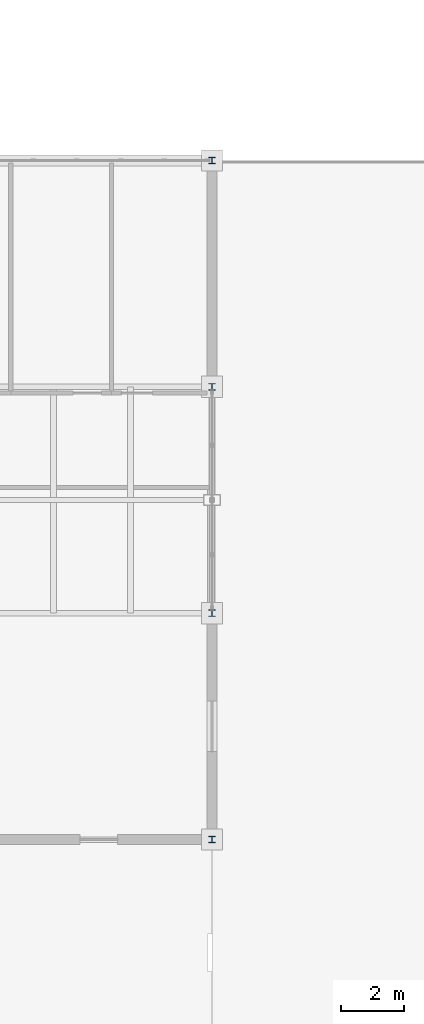
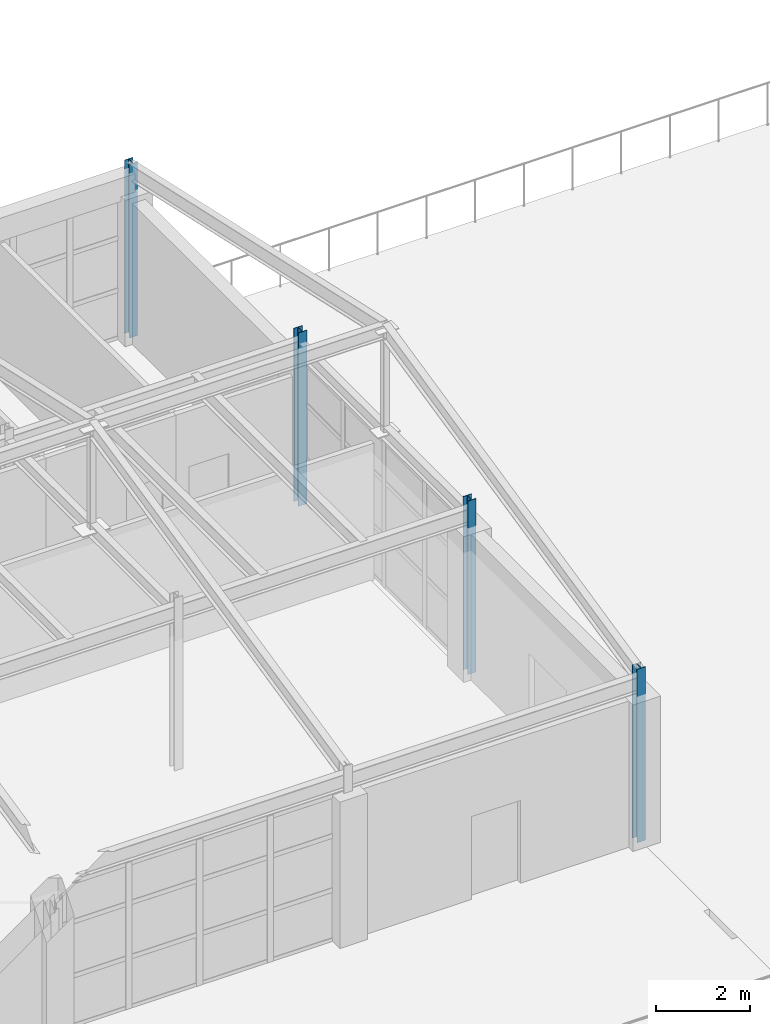
# One storey, part 11 of 101: 4 columns.
"""IFC4 building model written with IfcOpenShell, lengths in metres."""

from ifc_helpers import new_model, si_unit, direction, frame, origin, origin_2d, place, context, subcontext, project, spatial, i_section, extrude, material, material_profile, profile_set, type_object, element, save


model = new_model("IFC4")

# Units and contexts
model_context = context("Model", 3, precision=1e-05, world=origin(), true_north=direction((0.0, 1.0)))
body_context = subcontext(model_context, "Body", "Model", "MODEL_VIEW")
ifc_project = project(units=[si_unit("LENGTHUNIT", "METRE"), si_unit("AREAUNIT", "SQUARE_METRE"), si_unit("VOLUMEUNIT", "CUBIC_METRE"), si_unit("PLANEANGLEUNIT", "RADIAN"), si_unit("MASSUNIT", "GRAM", prefix="KILO")], contexts=[model_context])

# Site, building, storey
site_placement = place(None, origin())
site = spatial("IfcSite", under=ifc_project, at=site_placement, CompositionType="ELEMENT")
building_placement = place(site_placement, origin())
building = spatial("IfcBuilding", under=site, at=building_placement, Name="Kemerveld Promenade Tramway Depot", CompositionType="ELEMENT")
storey_placement = place(building_placement, frame((0.0, 0.0, 9.89990234375)))
storey = spatial("IfcBuildingStorey", under=building, at=storey_placement, Name="L02", CompositionType="ELEMENT", Elevation=9.89990234375)

# Columns
ifc_material = material(Name="Steel S355", Category="steel")
ifc_material_profile = material_profile(ifc_material, i_section(OverallWidth=0.205810546875, OverallDepth=0.209716796875, WebThickness=0.009521484375, FlangeThickness=0.01416015625, FilletRadius=0.01025390625, at=origin_2d()), Name="203x203x60 UC")
ifc_profile_set = profile_set([ifc_material_profile], Name="Steel S355")
column_type = type_object("IfcColumnType", Name="COL-S10", PredefinedType="COLUMN", material=ifc_profile_set)
for number, where, z_axis, x_axis, name in (
    (1, (129.60009765625, 7.199951171875, 0.0), (0.0, 0.0, 1.0), (1.0, 0.0, 0.0), "COL-L02-19-B"),
    (2, (129.60009765625, 14.39990234375, 0.0), (0.0, 0.0, 1.0), (1.0, 0.0, 0.0), "COL-L02-19-C"),
    (3, (129.60009765625, 21.60009765625, 0.0), (0.0, 0.0, 1.0), (1.0, 0.0, 0.0), "COL-L02-19-D"),
    (4, (129.60009765625, 28.800048828125, 0.0), (0.0, 0.0, 1.0), (1.0, 0.0, 0.0), "COL-L02-19-E"),
):
    element("IfcColumn", number, at=place(storey_placement, frame(where, z_axis=z_axis, x_axis=x_axis)), inside=storey, type_object=column_type, Name=name, PredefinedType="COLUMN", context=body_context, shape_type="SweptSolid", body=[
        extrude(i_section(OverallWidth=0.205810546875, OverallDepth=0.209716796875, WebThickness=0.009521484375, FlangeThickness=0.01416015625, FilletRadius=0.01025390625, at=origin_2d()), origin(), (0.0, 0.0, 1.0), 4.5),
    ])

save(model, "model.ifc")
